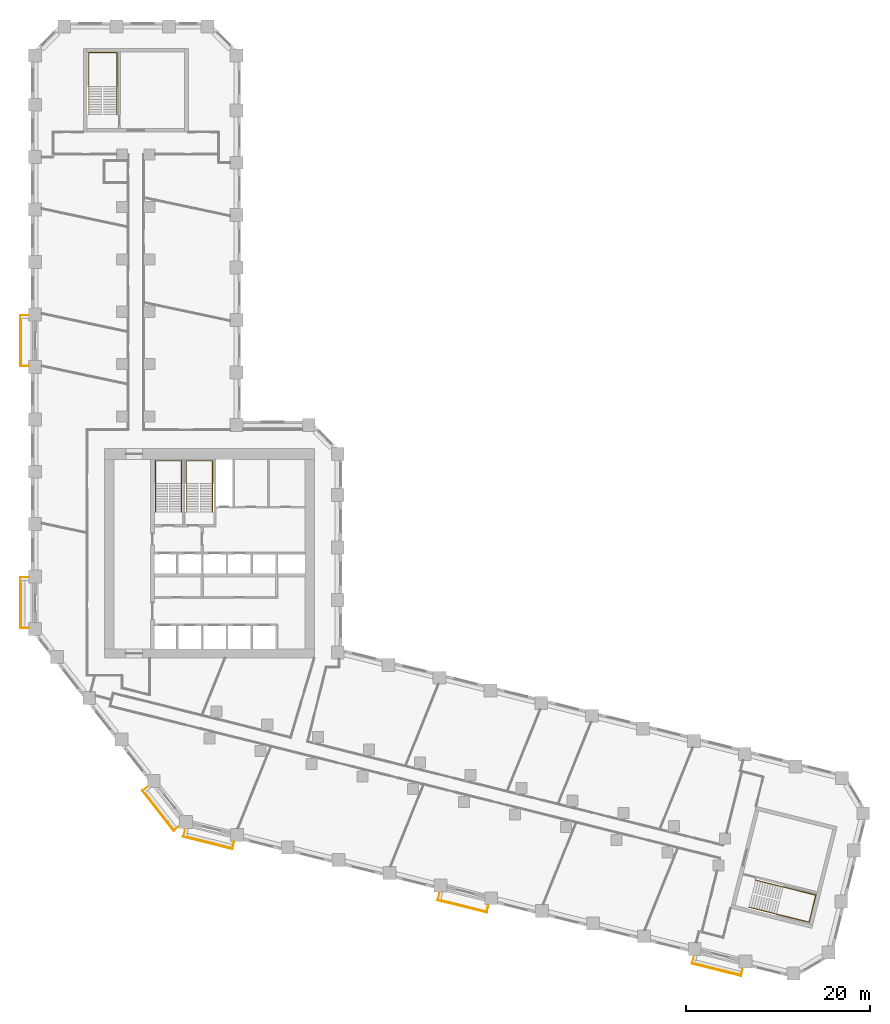
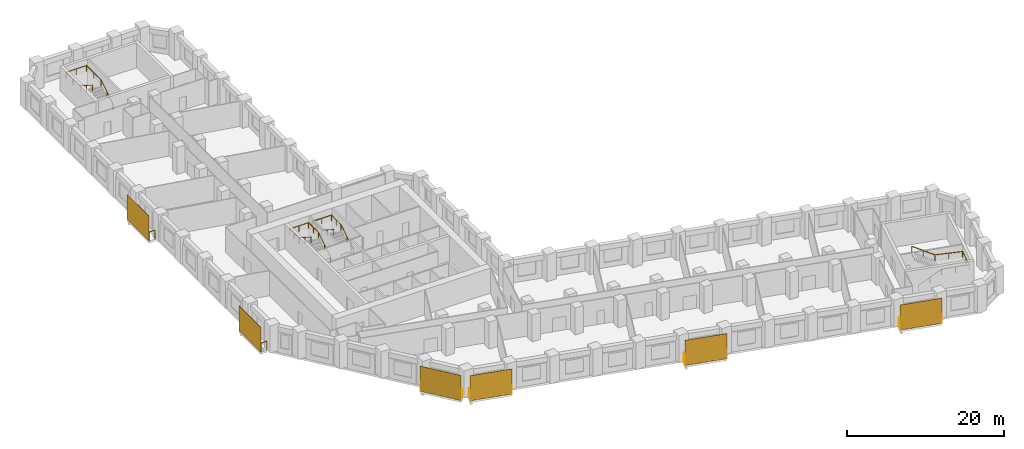
# One storey, part 11 of 11: 10 railings, 6 shading devices.
"""IFC4 building model written with IfcOpenShell, lengths in metres."""

import ifcopenshell
import ifcopenshell.guid

model = None  # the IFC model being written
_history = None  # IfcOwnerHistory: only IFC2X3 demands one
_inside = {}  # id of a spatial element -> (the spatial element, [elements in it])
_under = {}  # id of a project, library or spatial element -> (it, [spatial elements below it])
_declared = {}  # id of a project -> (the project, [libraries it declares])
_typed = {}  # id of a type object -> (the type object, [elements of that type])
_made_of = {}  # id of a material, layer set ... -> (it, [elements and type objects made of it])


def new_model(schema):
    """Start an empty IFC model of exactly this schema.

    Asked for "IFC4X3", IfcOpenShell would pick the latest addendum, in which some entities
    have other attributes; the version numbers below select the first issue.
    IFC2X3 requires an IfcOwnerHistory on every rooted entity: one is made here for all.
    """
    global model, _history
    if schema == "IFC4X3":
        model = ifcopenshell.file(schema_version=(4, 3, 0, 0))
    else:
        model = ifcopenshell.file(schema=schema)
    _inside.clear()
    _under.clear()
    _declared.clear()
    _typed.clear()
    _made_of.clear()
    _history = None
    if model.schema == "IFC2X3":
        org = make("IfcOrganization", Name="unknown")
        user = make(
            "IfcPersonAndOrganization",
            ThePerson=make("IfcPerson", FamilyName="unknown"),
            TheOrganization=org,
        )
        app = make(
            "IfcApplication",
            ApplicationDeveloper=org,
            Version="unknown",
            ApplicationFullName="unknown",
            ApplicationIdentifier="unknown",
        )
        _history = make(
            "IfcOwnerHistory",
            OwningUser=user,
            OwningApplication=app,
            ChangeAction="ADDED",
            CreationDate=0,
        )
    return model


def make(cls, **values):
    """One entity of the class cls with the attributes given. An attribute that is None is left unset."""
    return model.create_entity(
        cls, **{name: value for name, value in values.items() if value is not None}
    )


def rooted(cls, **values):
    """An entity with a GlobalId (a new one), such as an element, a storey or a relation."""
    return make(cls, GlobalId=ifcopenshell.guid.new(), OwnerHistory=_history, **values)


def si_unit(unit_type, name, prefix=None):
    """IfcSIUnit, for example si_unit("LENGTHUNIT", "METRE", prefix="MILLI")."""
    return make("IfcSIUnit", UnitType=unit_type, Prefix=prefix, Name=name)


def assignment(units):
    """IfcUnitAssignment: the units of a project."""
    return None if units is None else make("IfcUnitAssignment", Units=units)


def point(xyz):
    """IfcCartesianPoint."""
    return None if xyz is None else make("IfcCartesianPoint", Coordinates=xyz)


def direction(xyz):
    """IfcDirection."""
    return None if xyz is None else make("IfcDirection", DirectionRatios=xyz)


def frame(location, z_axis=None, x_axis=None):
    """IfcAxis2Placement3D, a coordinate frame: its origin and axes. An axis left out is left unset."""
    return make(
        "IfcAxis2Placement3D",
        Location=point(location),
        Axis=direction(z_axis),
        RefDirection=direction(x_axis),
    )


def frame_2d(location, x_axis=None):
    """IfcAxis2Placement2D, a coordinate frame in the plane: its origin and x axis."""
    return make(
        "IfcAxis2Placement2D", Location=point(location), RefDirection=direction(x_axis)
    )


def origin():
    """The frame at (0, 0, 0) with its axes left unset."""
    return frame((0.0, 0.0, 0.0))


def origin_2d():
    """The frame at (0, 0) in the plane with its x axis left unset."""
    return frame_2d((0.0, 0.0))


def place(relative_to, where):
    """IfcLocalPlacement: puts the frame where relative to a parent placement (None: the world)."""
    return make(
        "IfcLocalPlacement", PlacementRelTo=relative_to, RelativePlacement=where
    )


def context(
    kind, dimensions, precision=None, world=None, true_north=None, identifier=None
):
    """IfcGeometricRepresentationContext, for example the 3D "Model" context."""
    return make(
        "IfcGeometricRepresentationContext",
        ContextIdentifier=identifier,
        ContextType=kind,
        CoordinateSpaceDimension=dimensions,
        Precision=precision,
        WorldCoordinateSystem=world,
        TrueNorth=true_north,
    )


def subcontext(parent, identifier, kind, view, scale=None):
    """IfcGeometricRepresentationSubContext, for example "Body" below "Model"."""
    return make(
        "IfcGeometricRepresentationSubContext",
        ContextIdentifier=identifier,
        ContextType=kind,
        ParentContext=parent,
        TargetScale=scale,
        TargetView=view,
    )


def project(units=None, contexts=None):
    """IfcProject with its units and contexts."""
    return rooted(
        "IfcProject",
        Name="project",
        RepresentationContexts=contexts,
        UnitsInContext=assignment(units),
    )


def spatial(cls, under=None, at=None, **own):
    """A site, building, storey or space (cls), placed at a placement, below another one or the project."""
    s = rooted(cls, ObjectPlacement=at, **own)
    if under is not None:
        _under.setdefault(under.id(), (under, []))[1].append(s)
    return s


def profile(cls, at=None, kind="AREA", **sizes):
    """A parametric profile (cls). Its sizes go by their IFC names, for example OverallWidth=200.0."""
    return make(cls, ProfileType=kind, Position=at, **sizes)


def rectangle(**sizes):
    """IfcRectangleProfileDef."""
    return profile("IfcRectangleProfileDef", **sizes)


def circle(**sizes):
    """IfcCircleProfileDef."""
    return profile("IfcCircleProfileDef", **sizes)


def extrude(swept, where, along, depth):
    """IfcExtrudedAreaSolid: the profile swept, set in the frame where, extruded along a direction by depth."""
    return make(
        "IfcExtrudedAreaSolid",
        SweptArea=swept,
        Position=where,
        ExtrudedDirection=direction(along),
        Depth=depth,
    )


def shape(context_of_items, identifier, shape_type, items):
    """IfcShapeRepresentation: the items that make up one representation, for example the "Body"."""
    return make(
        "IfcShapeRepresentation",
        ContextOfItems=context_of_items,
        RepresentationIdentifier=identifier,
        RepresentationType=shape_type,
        Items=items,
    )


def material(Name=None, Category=None):
    """IfcMaterial."""
    return make("IfcMaterial", Name=Name, Category=Category)


def layer(
    of_material, thickness, ventilated=None, Name=None, Category=None, Priority=None
):
    """IfcMaterialLayer: one layer of a wall or slab, of a material (None: an air gap)."""
    return make(
        "IfcMaterialLayer",
        Material=of_material,
        LayerThickness=thickness,
        IsVentilated=ventilated,
        Name=Name,
        Category=Category,
        Priority=Priority,
    )


def layer_set(layers, Name=None):
    """IfcMaterialLayerSet."""
    return make("IfcMaterialLayerSet", MaterialLayers=layers, LayerSetName=Name)


def made_of(thing, what):
    """Note that an element or type object is made of a material, layer set ...; save() writes the relation."""
    if what is not None:
        _made_of.setdefault(what.id(), (what, []))[1].append(thing)
    return thing


def type_object(cls, material=None, **own):
    """A type object (cls), such as IfcWallType, which elements share."""
    return made_of(rooted(cls, **own), material)


def element(
    cls,
    number,
    at=None,
    inside=None,
    cuts=None,
    type_object=None,
    material=None,
    context=None,
    identifier="Body",
    shape_type=None,
    held_by="IfcProductDefinitionShape",
    body=None,
    shapes=None,
    **own,
):
    """One element of the class cls, such as IfcWall. Its Tag is "e" and its number.

    at: its placement. inside: the storey or other place that contains it. cuts: it is an
    opening in that element (IfcRelVoidsElement). A single representation is given by context,
    identifier, shape_type and body (its items); several are given by shapes. held_by: the class
    of the entity that holds the representations. save() writes the other relations.
    """
    e = rooted(cls, Tag="e%d" % number, ObjectPlacement=at, **own)
    if body is not None:
        shapes = [shape(context, identifier, shape_type, body)]
    if shapes is not None:
        e.Representation = make(held_by, Representations=shapes)
    if inside is not None:
        _inside.setdefault(inside.id(), (inside, []))[1].append(e)
    if cuts is not None:
        rooted(
            "IfcRelVoidsElement", RelatingBuildingElement=cuts, RelatedOpeningElement=e
        )
    if type_object is not None:
        _typed.setdefault(type_object.id(), (type_object, []))[1].append(e)
    return made_of(e, material)


def aggregate(whole, parts):
    """IfcRelAggregates: a whole, such as a stair, and the parts it consists of."""
    return rooted("IfcRelAggregates", RelatingObject=whole, RelatedObjects=parts)


def save(model, path):
    """Write the relations noted so far, then the file.

    IfcRelAggregates (storeys below a building ...), IfcRelContainedInSpatialStructure (elements
    in a storey), IfcRelDefinesByType, IfcRelAssociatesMaterial and IfcRelDeclares: one each for
    every whole, place, type object, material and project.
    """
    for whole, parts in _under.values():
        aggregate(whole, parts)
    for where, things in _inside.values():
        rooted(
            "IfcRelContainedInSpatialStructure",
            RelatedElements=things,
            RelatingStructure=where,
        )
    for kind, things in _typed.values():
        rooted("IfcRelDefinesByType", RelatedObjects=things, RelatingType=kind)
    for what, things in _made_of.values():
        rooted("IfcRelAssociatesMaterial", RelatedObjects=things, RelatingMaterial=what)
    for by, libraries in _declared.values():
        rooted("IfcRelDeclares", RelatingContext=by, RelatedDefinitions=libraries)
    model.write(path)


model = new_model("IFC4")

# Units and contexts
model_context = context("Model", 3, precision=1e-05, world=origin(), true_north=direction((0.0, 1.0)))
body_context = subcontext(model_context, "Body", "Model", "MODEL_VIEW")
ifc_project = project(units=[si_unit("LENGTHUNIT", "METRE"), si_unit("AREAUNIT", "SQUARE_METRE"), si_unit("VOLUMEUNIT", "CUBIC_METRE"), si_unit("PLANEANGLEUNIT", "RADIAN"), si_unit("MASSUNIT", "GRAM", prefix="KILO")], contexts=[model_context])

# Site, building, storey
site_placement = place(None, origin())
site = spatial("IfcSite", under=ifc_project, at=site_placement, CompositionType="ELEMENT")
building_placement = place(site_placement, origin())
building = spatial("IfcBuilding", under=site, at=building_placement, Name="Meshkara Civic Tower", CompositionType="ELEMENT")
storey_placement = place(building_placement, frame((0.0, 0.0, 41.39990234375)))
storey = spatial("IfcBuildingStorey", under=building, at=storey_placement, Name="L08", CompositionType="ELEMENT", Elevation=41.39990234375)

# Railings
ifc_material_1 = material(Name="Steel S355", Category="steel")
railing_type_1 = type_object("IfcRailingType", Name="BALUSTRADE GUARD 1400", PredefinedType="BALUSTRADE", material=ifc_material_1)
for number, where, name in (
    (1, (-0.25, 51.3349609375, 0.0), "Balcony guard"),
    (2, (-0.25, 22.8349609375, 0.0), "Balcony guard"),
):
    element("IfcRailing", number, at=place(storey_placement, frame(where)), inside=storey, type_object=railing_type_1, Name=name, PredefinedType="BALUSTRADE", context=body_context, shape_type="SweptSolid", body=[
        extrude(circle(Radius=0.02392578125, at=origin_2d()), frame((0.0, 0.0, 1.3759765625), z_axis=(-1.0, 0.0, 0.0), x_axis=(0.0, -1.0, 0.0)), (0.0, 0.0, 1.0), 0.860107421875),
        extrude(circle(Radius=0.02392578125, at=origin_2d()), frame((-0.860107421875, 0.0, 1.3759765625), z_axis=(0.0, -1.0, 0.0), x_axis=(1.0, 0.0, 0.0)), (0.0, 0.0, 1.0), 5.4599609375),
        extrude(circle(Radius=0.02392578125, at=origin_2d()), frame((-0.860107421875, -5.4599609375, 1.3759765625), z_axis=(1.0, 0.0, 0.0), x_axis=(0.0, 1.0, 0.0)), (0.0, 0.0, 1.0), 0.860107421875),
        extrude(circle(Radius=0.02099609375, at=origin_2d()), origin(), (0.0, 0.0, 1.0), 1.351806640625),
        extrude(circle(Radius=0.02099609375, at=origin_2d()), frame((-0.860107421875, 0.0, 0.0)), (0.0, 0.0, 1.0), 1.351806640625),
        extrude(circle(Radius=0.02099609375, at=origin_2d()), frame((-0.860107421875, -1.092041015625, 0.0)), (0.0, 0.0, 1.0), 1.351806640625),
        extrude(circle(Radius=0.02099609375, at=origin_2d()), frame((-0.860107421875, -2.18408203125, 0.0)), (0.0, 0.0, 1.0), 1.351806640625),
        extrude(circle(Radius=0.02099609375, at=origin_2d()), frame((-0.860107421875, -3.27587890625, 0.0)), (0.0, 0.0, 1.0), 1.351806640625),
        extrude(circle(Radius=0.02099609375, at=origin_2d()), frame((-0.860107421875, -4.367919921875, 0.0)), (0.0, 0.0, 1.0), 1.351806640625),
        extrude(circle(Radius=0.02099609375, at=origin_2d()), frame((-0.860107421875, -5.4599609375, 0.0)), (0.0, 0.0, 1.0), 1.351806640625),
        extrude(circle(Radius=0.02099609375, at=origin_2d()), frame((0.0, -5.4599609375, 0.0)), (0.0, 0.0, 1.0), 1.351806640625),
    ])
railing_1_placement = place(storey_placement, frame((12.64111328125, 0.053955078125, 0.0)))
element("IfcRailing", 3, at=railing_1_placement, inside=storey, type_object=railing_type_1, Name="Balcony guard", PredefinedType="BALUSTRADE", context=body_context, shape_type="SweptSolid", body=[
    extrude(circle(Radius=0.02392578125, at=origin_2d()), frame((0.0, 0.0, 1.3759765625), z_axis=(-0.788485894605, -0.615052838388, 0.0), x_axis=(0.615052838388, -0.788485894605, 0.0)), (0.0, 0.0, 1.0), 0.5771484375),
    extrude(circle(Radius=0.02392578125, at=origin_2d()), frame((-0.455078125, -0.35498046875, 1.3759765625), z_axis=(0.615684818606, -0.787992515281, 0.0), x_axis=(0.787992515281, 0.615684818606, 0.0)), (0.0, 0.0, 1.0), 5.460693359375),
    extrude(circle(Radius=0.02392578125, at=origin_2d()), frame((2.906982421875, -4.657958984375, 1.3759765625), z_axis=(0.787505001008, 0.616308261658, 0.0), x_axis=(-0.616308261658, 0.787505001008, 0.0)), (0.0, 0.0, 1.0), 0.57763671875),
    extrude(circle(Radius=0.02099609375, at=origin_2d()), origin(), (0.0, 0.0, 1.0), 1.351806640625),
    extrude(circle(Radius=0.02099609375, at=origin_2d()), frame((-0.455078125, -0.35498046875, 0.0)), (0.0, 0.0, 1.0), 1.351806640625),
    extrude(circle(Radius=0.02099609375, at=origin_2d()), frame((0.21728515625, -1.215576171875, 0.0)), (0.0, 0.0, 1.0), 1.351806640625),
    extrude(circle(Radius=0.02099609375, at=origin_2d()), frame((0.8896484375, -2.076171875, 0.0)), (0.0, 0.0, 1.0), 1.351806640625),
    extrude(circle(Radius=0.02099609375, at=origin_2d()), frame((1.562255859375, -2.936767578125, 0.0)), (0.0, 0.0, 1.0), 1.351806640625),
    extrude(circle(Radius=0.02099609375, at=origin_2d()), frame((2.234619140625, -3.79736328125, 0.0)), (0.0, 0.0, 1.0), 1.351806640625),
    extrude(circle(Radius=0.02099609375, at=origin_2d()), frame((2.906982421875, -4.657958984375, 0.0)), (0.0, 0.0, 1.0), 1.351806640625),
    extrude(circle(Radius=0.02099609375, at=origin_2d()), frame((3.36181640625, -4.302001953125, 0.0)), (0.0, 0.0, 1.0), 1.351806640625),
])
railing_2_placement = place(storey_placement, frame((16.761962890625, -4.590087890625, 0.0)))
element("IfcRailing", 4, at=railing_2_placement, inside=storey, type_object=railing_type_1, Name="Balcony guard", PredefinedType="BALUSTRADE", context=body_context, shape_type="SweptSolid", body=[
    extrude(circle(Radius=0.02392578125, at=origin_2d()), frame((0.0, 0.0, 1.3759765625), z_axis=(-0.241405887632, -0.970424235794, 0.0), x_axis=(0.970424235794, -0.241405887632, 0.0)), (0.0, 0.0, 1.0), 0.7119140625),
    extrude(circle(Radius=0.02392578125, at=origin_2d()), frame((-0.171875, -0.69091796875, 1.3759765625), z_axis=(0.9703315887, -0.241778013829, 0.0), x_axis=(0.241778013829, 0.9703315887, 0.0)), (0.0, 0.0, 1.0), 5.459716796875),
    extrude(circle(Radius=0.02392578125, at=origin_2d()), frame((5.1259765625, -2.010986328125, 1.3759765625), z_axis=(0.241970279911, 0.970283661431, 0.0), x_axis=(-0.970283661431, 0.241970279911, 0.0)), (0.0, 0.0, 1.0), 0.71142578125),
    extrude(circle(Radius=0.02099609375, at=origin_2d()), origin(), (0.0, 0.0, 1.0), 1.351806640625),
    extrude(circle(Radius=0.02099609375, at=origin_2d()), frame((-0.171875, -0.69091796875, 0.0)), (0.0, 0.0, 1.0), 1.351806640625),
    extrude(circle(Radius=0.02099609375, at=origin_2d()), frame((0.8876953125, -0.954833984375, 0.0)), (0.0, 0.0, 1.0), 1.351806640625),
    extrude(circle(Radius=0.02099609375, at=origin_2d()), frame((1.947265625, -1.218994140625, 0.0)), (0.0, 0.0, 1.0), 1.351806640625),
    extrude(circle(Radius=0.02099609375, at=origin_2d()), frame((3.0068359375, -1.48291015625, 0.0)), (0.0, 0.0, 1.0), 1.351806640625),
    extrude(circle(Radius=0.02099609375, at=origin_2d()), frame((4.06640625, -1.7470703125, 0.0)), (0.0, 0.0, 1.0), 1.351806640625),
    extrude(circle(Radius=0.02099609375, at=origin_2d()), frame((5.1259765625, -2.010986328125, 0.0)), (0.0, 0.0, 1.0), 1.351806640625),
    extrude(circle(Radius=0.02099609375, at=origin_2d()), frame((5.298095703125, -1.32080078125, 0.0)), (0.0, 0.0, 1.0), 1.351806640625),
])
railing_3_placement = place(storey_placement, frame((44.416015625, -11.485107421875, 0.0)))
element("IfcRailing", 5, at=railing_3_placement, inside=storey, type_object=railing_type_1, Name="Balcony guard", PredefinedType="BALUSTRADE", context=body_context, shape_type="SweptSolid", body=[
    extrude(circle(Radius=0.02392578125, at=origin_2d()), frame((0.0, 0.0, 1.3759765625), z_axis=(-0.242050887106, -0.970263555974, 0.0), x_axis=(0.970263555974, -0.242050887106, 0.0)), (0.0, 0.0, 1.0), 0.711181640625),
    extrude(circle(Radius=0.02392578125, at=origin_2d()), frame((-0.172119140625, -0.68994140625, 1.3759765625), z_axis=(0.970281759871, -0.241977904902, 0.0), x_axis=(0.241977904902, 0.970281759871, 0.0)), (0.0, 0.0, 1.0), 5.45947265625),
    extrude(circle(Radius=0.02392578125, at=origin_2d()), frame((5.125, -2.010986328125, 1.3759765625), z_axis=(0.241647114831, 0.970364195493, 0.0), x_axis=(-0.970364195493, 0.241647114831, 0.0)), (0.0, 0.0, 1.0), 0.711181640625),
    extrude(circle(Radius=0.02099609375, at=origin_2d()), origin(), (0.0, 0.0, 1.0), 1.351806640625),
    extrude(circle(Radius=0.02099609375, at=origin_2d()), frame((-0.172119140625, -0.68994140625, 0.0)), (0.0, 0.0, 1.0), 1.351806640625),
    extrude(circle(Radius=0.02099609375, at=origin_2d()), frame((0.88720703125, -0.9541015625, 0.0)), (0.0, 0.0, 1.0), 1.351806640625),
    extrude(circle(Radius=0.02099609375, at=origin_2d()), frame((1.94677734375, -1.21826171875, 0.0)), (0.0, 0.0, 1.0), 1.351806640625),
    extrude(circle(Radius=0.02099609375, at=origin_2d()), frame((3.006103515625, -1.482666015625, 0.0)), (0.0, 0.0, 1.0), 1.351806640625),
    extrude(circle(Radius=0.02099609375, at=origin_2d()), frame((4.065673828125, -1.746826171875, 0.0)), (0.0, 0.0, 1.0), 1.351806640625),
    extrude(circle(Radius=0.02099609375, at=origin_2d()), frame((5.125, -2.010986328125, 0.0)), (0.0, 0.0, 1.0), 1.351806640625),
    extrude(circle(Radius=0.02099609375, at=origin_2d()), frame((5.296875, -1.32080078125, 0.0)), (0.0, 0.0, 1.0), 1.351806640625),
])
railing_4_placement = place(storey_placement, frame((72.069091796875, -18.37890625, 0.0)))
element("IfcRailing", 6, at=railing_4_placement, inside=storey, type_object=railing_type_1, Name="Balcony guard", PredefinedType="BALUSTRADE", context=body_context, shape_type="SweptSolid", body=[
    extrude(circle(Radius=0.02392578125, at=origin_2d()), frame((0.0, 0.0, 1.3759765625), z_axis=(-0.241648370662, -0.970363882756, 0.0), x_axis=(0.970363882756, -0.241648370662, 0.0)), (0.0, 0.0, 1.0), 0.712158203125),
    extrude(circle(Radius=0.02392578125, at=origin_2d()), frame((-0.172119140625, -0.691162109375, 1.3759765625), z_axis=(0.970292231073, -0.24193591366, 0.0), x_axis=(0.24193591366, 0.970292231073, 0.0)), (0.0, 0.0, 1.0), 5.460205078125),
    extrude(circle(Radius=0.02392578125, at=origin_2d()), frame((5.1259765625, -2.01220703125, 1.3759765625), z_axis=(0.241325582248, 0.970444209294, 0.0), x_axis=(-0.970444209294, 0.241325582248, 0.0)), (0.0, 0.0, 1.0), 0.712158203125),
    extrude(circle(Radius=0.02099609375, at=origin_2d()), origin(), (0.0, 0.0, 1.0), 1.351806640625),
    extrude(circle(Radius=0.02099609375, at=origin_2d()), frame((-0.172119140625, -0.691162109375, 0.0)), (0.0, 0.0, 1.0), 1.351806640625),
    extrude(circle(Radius=0.02099609375, at=origin_2d()), frame((0.887451171875, -0.955322265625, 0.0)), (0.0, 0.0, 1.0), 1.351806640625),
    extrude(circle(Radius=0.02099609375, at=origin_2d()), frame((1.947021484375, -1.219482421875, 0.0)), (0.0, 0.0, 1.0), 1.351806640625),
    extrude(circle(Radius=0.02099609375, at=origin_2d()), frame((3.0068359375, -1.48388671875, 0.0)), (0.0, 0.0, 1.0), 1.351806640625),
    extrude(circle(Radius=0.02099609375, at=origin_2d()), frame((4.06640625, -1.748046875, 0.0)), (0.0, 0.0, 1.0), 1.351806640625),
    extrude(circle(Radius=0.02099609375, at=origin_2d()), frame((5.1259765625, -2.01220703125, 0.0)), (0.0, 0.0, 1.0), 1.351806640625),
    extrude(circle(Radius=0.02099609375, at=origin_2d()), frame((5.2978515625, -1.321044921875, 0.0)), (0.0, 0.0, 1.0), 1.351806640625),
])

# Shading devices
ifc_material_2 = material(Name="Perforated bronze anodised aluminium sheet", Category="aluminium")
ifc_layer = layer(ifc_material_2, 0.0400390625)
ifc_layer_set = layer_set([ifc_layer], Name="PERFORATED BRONZE SCREEN")
shading_device_type = type_object("IfcShadingDeviceType", Name="PERFORATED BRONZE SCREEN", PredefinedType="USERDEFINED", material=ifc_layer_set)
for number, where, z_axis, x_axis, name in (
    (7, (-1.179931640625, 48.60498046875, 0.000244140625), (0.0, 0.0, 1.0), (0.0, -1.0, 0.0), "Balcony screen"),
    (8, (-1.179931640625, 20.10498046875, 0.000244140625), (0.0, 0.0, 1.0), (0.0, -1.0, 0.0), "Balcony screen"),
    (9, (13.81201171875, -2.4951171875, 0.000244140625), (0.0, 0.0, 1.0), (0.615661475326, -0.788010753607, 0.0), "Balcony screen"),
    (10, (19.221923828125, -6.009033203125, 0.000244140625), (0.0, 0.0, 1.0), (0.970295726276, -0.2419218956, 0.0), "Balcony screen"),
):
    element("IfcShadingDevice", number, at=place(storey_placement, frame(where, z_axis=z_axis, x_axis=x_axis)), inside=storey, type_object=shading_device_type, Name=name, ObjectType="SCREEN", PredefinedType="USERDEFINED", context=body_context, shape_type="SweptSolid", body=[
        extrude(rectangle(XDim=5.580078125, YDim=0.0400390625, at=origin_2d()), origin(), (0.0, 0.0, 1.0), 3.89990234375),
    ])
shading_device_1_placement = place(storey_placement, frame((46.8759765625, -12.903076171875, 0.000244140625), z_axis=(0.0, 0.0, 1.0), x_axis=(0.970295726276, -0.2419218956, 0.0)))
element("IfcShadingDevice", 11, at=shading_device_1_placement, inside=storey, type_object=shading_device_type, Name="Balcony screen", ObjectType="SCREEN", PredefinedType="USERDEFINED", context=body_context, shape_type="SweptSolid", body=[
    extrude(rectangle(XDim=5.5791015625, YDim=0.0400390625, at=origin_2d()), origin(), (0.0, 0.0, 1.0), 3.89990234375),
])
shading_device_2_placement = place(storey_placement, frame((74.529052734375, -19.798095703125, 0.000244140625), z_axis=(0.0, 0.0, 1.0), x_axis=(0.970295726276, -0.2419218956, 0.0)))
element("IfcShadingDevice", 12, at=shading_device_2_placement, inside=storey, type_object=shading_device_type, Name="Balcony screen", ObjectType="SCREEN", PredefinedType="USERDEFINED", context=body_context, shape_type="SweptSolid", body=[
    extrude(rectangle(XDim=5.580078125, YDim=0.0400390625, at=origin_2d()), origin(), (0.0, 0.0, 1.0), 3.89990234375),
])

# Railings
ifc_material_3 = material(Name="Steel handrail", Category="steel")
railing_type_2 = type_object("IfcRailingType", Name="Stair handrail 900", PredefinedType="HANDRAIL", material=ifc_material_3)
railing_5_placement = place(storey_placement, frame((16.375, 30.0, 0.175048828125)))
element("IfcRailing", 13, at=railing_5_placement, inside=storey, type_object=railing_type_2, Name="L08 ST1 stair handrail 1", PredefinedType="HANDRAIL", context=body_context, shape_type="SweptSolid", body=[
    extrude(circle(Radius=0.02392578125, at=origin_2d()), frame((0.0, 0.0, 0.8759765625), z_axis=(0.0, 0.847998304005, 0.529998940003), x_axis=(-1.0, 0.0, 0.0)), (0.0, 0.0, 1.0), 3.632080078125),
    extrude(circle(Radius=0.02392578125, at=origin_2d()), frame((0.0, 3.080078125, 2.80078125), z_axis=(0.0, 1.0, 0.0), x_axis=(-1.0, 0.0, 0.0)), (0.0, 0.0, 1.0), 2.469970703125),
    extrude(circle(Radius=0.02392578125, at=origin_2d()), frame((0.0, 5.550048828125, 2.80078125), z_axis=(-1.0, 0.0, 0.0), x_axis=(0.0, -1.0, 0.0)), (0.0, 0.0, 1.0), 2.85009765625),
    extrude(circle(Radius=0.02392578125, at=origin_2d()), frame((-2.85009765625, 5.550048828125, 2.80078125), z_axis=(0.0, -0.997498084828, 0.070693498747), x_axis=(1.0, 0.0, 0.0)), (0.0, 0.0, 1.0), 2.47607421875),
    extrude(circle(Radius=0.02392578125, at=origin_2d()), frame((-2.85009765625, 3.080078125, 2.97607421875), z_axis=(0.0, -0.847998304005, 0.529998940003), x_axis=(1.0, 0.0, 0.0)), (0.0, 0.0, 1.0), 3.632080078125),
    extrude(circle(Radius=0.02099609375, at=origin_2d()), origin(), (0.0, 0.0, 1.0), 0.851806640625),
    extrude(circle(Radius=0.02099609375, at=origin_2d()), frame((0.0, 1.5400390625, 0.96240234375)), (0.0, 0.0, 1.0), 0.851806640625),
    extrude(circle(Radius=0.02099609375, at=origin_2d()), frame((0.0, 3.080078125, 1.925048828125)), (0.0, 0.0, 1.0), 0.851806640625),
    extrude(circle(Radius=0.02099609375, at=origin_2d()), frame((0.0, 4.31494140625, 1.925048828125)), (0.0, 0.0, 1.0), 0.851806640625),
    extrude(circle(Radius=0.02099609375, at=origin_2d()), frame((0.0, 5.550048828125, 1.925048828125)), (0.0, 0.0, 1.0), 0.851806640625),
    extrude(circle(Radius=0.02099609375, at=origin_2d()), frame((-1.425048828125, 5.550048828125, 1.925048828125)), (0.0, 0.0, 1.0), 0.851806640625),
    extrude(circle(Radius=0.02099609375, at=origin_2d()), frame((-2.85009765625, 5.550048828125, 1.925048828125)), (0.0, 0.0, 1.0), 0.851806640625),
    extrude(circle(Radius=0.02099609375, at=origin_2d()), frame((-2.85009765625, 4.31494140625, 2.0126953125)), (0.0, 0.0, 1.0), 0.851806640625),
    extrude(circle(Radius=0.02099609375, at=origin_2d()), frame((-2.85009765625, 3.080078125, 2.10009765625)), (0.0, 0.0, 1.0), 0.851806640625),
    extrude(circle(Radius=0.02099609375, at=origin_2d()), frame((-2.85009765625, 1.5400390625, 3.0625)), (0.0, 0.0, 1.0), 0.851806640625),
    extrude(circle(Radius=0.02099609375, at=origin_2d()), frame((-2.85009765625, 0.0, 4.025146484375)), (0.0, 0.0, 1.0), 0.851806640625),
])
railing_6_placement = place(storey_placement, frame((19.72509765625, 30.0, 0.175048828125)))
element("IfcRailing", 14, at=railing_6_placement, inside=storey, type_object=railing_type_2, Name="L08 ST2 stair handrail 1", PredefinedType="HANDRAIL", context=body_context, shape_type="SweptSolid", body=[
    extrude(circle(Radius=0.02392578125, at=origin_2d()), frame((0.0, 0.0, 0.8759765625), z_axis=(0.0, 0.847998304005, 0.529998940003), x_axis=(-1.0, 0.0, 0.0)), (0.0, 0.0, 1.0), 3.632080078125),
    extrude(circle(Radius=0.02392578125, at=origin_2d()), frame((0.0, 3.080078125, 2.80078125), z_axis=(0.0, 1.0, 0.0), x_axis=(-1.0, 0.0, 0.0)), (0.0, 0.0, 1.0), 2.469970703125),
    extrude(circle(Radius=0.02392578125, at=origin_2d()), frame((0.0, 5.550048828125, 2.80078125), z_axis=(-1.0, 0.0, 0.0), x_axis=(0.0, -1.0, 0.0)), (0.0, 0.0, 1.0), 2.85009765625),
    extrude(circle(Radius=0.02392578125, at=origin_2d()), frame((-2.85009765625, 5.550048828125, 2.80078125), z_axis=(0.0, -0.997498084828, 0.070693498747), x_axis=(1.0, 0.0, 0.0)), (0.0, 0.0, 1.0), 2.47607421875),
    extrude(circle(Radius=0.02392578125, at=origin_2d()), frame((-2.85009765625, 3.080078125, 2.97607421875), z_axis=(0.0, -0.847998304005, 0.529998940003), x_axis=(1.0, 0.0, 0.0)), (0.0, 0.0, 1.0), 3.632080078125),
    extrude(circle(Radius=0.02099609375, at=origin_2d()), origin(), (0.0, 0.0, 1.0), 0.851806640625),
    extrude(circle(Radius=0.02099609375, at=origin_2d()), frame((0.0, 1.5400390625, 0.96240234375)), (0.0, 0.0, 1.0), 0.851806640625),
    extrude(circle(Radius=0.02099609375, at=origin_2d()), frame((0.0, 3.080078125, 1.925048828125)), (0.0, 0.0, 1.0), 0.851806640625),
    extrude(circle(Radius=0.02099609375, at=origin_2d()), frame((0.0, 4.31494140625, 1.925048828125)), (0.0, 0.0, 1.0), 0.851806640625),
    extrude(circle(Radius=0.02099609375, at=origin_2d()), frame((0.0, 5.550048828125, 1.925048828125)), (0.0, 0.0, 1.0), 0.851806640625),
    extrude(circle(Radius=0.02099609375, at=origin_2d()), frame((-1.425048828125, 5.550048828125, 1.925048828125)), (0.0, 0.0, 1.0), 0.851806640625),
    extrude(circle(Radius=0.02099609375, at=origin_2d()), frame((-2.85009765625, 5.550048828125, 1.925048828125)), (0.0, 0.0, 1.0), 0.851806640625),
    extrude(circle(Radius=0.02099609375, at=origin_2d()), frame((-2.85009765625, 4.31494140625, 2.0126953125)), (0.0, 0.0, 1.0), 0.851806640625),
    extrude(circle(Radius=0.02099609375, at=origin_2d()), frame((-2.85009765625, 3.080078125, 2.10009765625)), (0.0, 0.0, 1.0), 0.851806640625),
    extrude(circle(Radius=0.02099609375, at=origin_2d()), frame((-2.85009765625, 1.5400390625, 3.0625)), (0.0, 0.0, 1.0), 0.851806640625),
    extrude(circle(Radius=0.02099609375, at=origin_2d()), frame((-2.85009765625, 0.0, 4.025146484375)), (0.0, 0.0, 1.0), 0.851806640625),
])
railing_7_placement = place(storey_placement, frame((9.324951171875, 73.169921875, 0.175048828125)))
element("IfcRailing", 15, at=railing_7_placement, inside=storey, type_object=railing_type_2, Name="L08 ESA1 stair handrail 1", PredefinedType="HANDRAIL", context=body_context, shape_type="SweptSolid", body=[
    extrude(circle(Radius=0.02392578125, at=origin_2d()), frame((0.0, 0.0, 0.8759765625), z_axis=(0.0, 0.847998304005, 0.529998940003), x_axis=(-1.0, 0.0, 0.0)), (0.0, 0.0, 1.0), 3.632080078125),
    extrude(circle(Radius=0.02392578125, at=origin_2d()), frame((0.0, 3.080078125, 2.80078125), z_axis=(0.0, 1.0, 0.0), x_axis=(-1.0, 0.0, 0.0)), (0.0, 0.0, 1.0), 3.669921875),
    extrude(circle(Radius=0.02392578125, at=origin_2d()), frame((0.0, 6.75, 2.80078125), z_axis=(-1.0, 0.0, 0.0), x_axis=(0.0, -1.0, 0.0)), (0.0, 0.0, 1.0), 3.050048828125),
    extrude(circle(Radius=0.02392578125, at=origin_2d()), frame((-3.050048828125, 6.75, 2.80078125), z_axis=(0.0, -0.998864376167, 0.047644076484), x_axis=(1.0, 0.0, 0.0)), (0.0, 0.0, 1.0), 3.674072265625),
    extrude(circle(Radius=0.02392578125, at=origin_2d()), frame((-3.050048828125, 3.080078125, 2.97607421875), z_axis=(0.0, -0.847998304005, 0.529998940003), x_axis=(1.0, 0.0, 0.0)), (0.0, 0.0, 1.0), 3.632080078125),
    extrude(circle(Radius=0.02099609375, at=origin_2d()), origin(), (0.0, 0.0, 1.0), 0.851806640625),
    extrude(circle(Radius=0.02099609375, at=origin_2d()), frame((0.0, 1.5400390625, 0.96240234375)), (0.0, 0.0, 1.0), 0.851806640625),
    extrude(circle(Radius=0.02099609375, at=origin_2d()), frame((0.0, 3.080078125, 1.925048828125)), (0.0, 0.0, 1.0), 0.851806640625),
    extrude(circle(Radius=0.02099609375, at=origin_2d()), frame((0.0, 4.9150390625, 1.925048828125)), (0.0, 0.0, 1.0), 0.851806640625),
    extrude(circle(Radius=0.02099609375, at=origin_2d()), frame((0.0, 6.75, 1.925048828125)), (0.0, 0.0, 1.0), 0.851806640625),
    extrude(circle(Radius=0.02099609375, at=origin_2d()), frame((-1.52490234375, 6.75, 1.925048828125)), (0.0, 0.0, 1.0), 0.851806640625),
    extrude(circle(Radius=0.02099609375, at=origin_2d()), frame((-3.050048828125, 6.75, 1.925048828125)), (0.0, 0.0, 1.0), 0.851806640625),
    extrude(circle(Radius=0.02099609375, at=origin_2d()), frame((-3.050048828125, 4.9150390625, 2.0126953125)), (0.0, 0.0, 1.0), 0.851806640625),
    extrude(circle(Radius=0.02099609375, at=origin_2d()), frame((-3.050048828125, 3.080078125, 2.10009765625)), (0.0, 0.0, 1.0), 0.851806640625),
    extrude(circle(Radius=0.02099609375, at=origin_2d()), frame((-3.050048828125, 1.5400390625, 3.0625)), (0.0, 0.0, 1.0), 0.851806640625),
    extrude(circle(Radius=0.02099609375, at=origin_2d()), frame((-3.050048828125, 0.0, 4.025146484375)), (0.0, 0.0, 1.0), 0.851806640625),
])
railing_8_placement = place(storey_placement, frame((78.045166015625, -12.99169921875, 0.175048828125)))
element("IfcRailing", 16, at=railing_8_placement, inside=storey, type_object=railing_type_2, Name="L08 ESB1 stair handrail 1", PredefinedType="HANDRAIL", context=body_context, shape_type="SweptSolid", body=[
    extrude(circle(Radius=0.02392578125, at=origin_2d()), frame((0.0, 0.0, 0.8759765625), z_axis=(0.822781968105, -0.205275396666, 0.529992306062), x_axis=(0.242069343812, 0.970258951408, 0.0)), (0.0, 0.0, 1.0), 3.63232421875),
    extrude(circle(Radius=0.02392578125, at=origin_2d()), frame((2.988525390625, -0.74560546875, 2.80078125), z_axis=(0.970255876456, -0.242081668456, 0.0), x_axis=(0.242081668456, 0.970255876456, 0.0)), (0.0, 0.0, 1.0), 3.669921875),
    extrude(circle(Radius=0.02392578125, at=origin_2d()), frame((6.54931640625, -1.634033203125, 2.80078125), z_axis=(0.242064726708, 0.970260103315, 0.0), x_axis=(-0.970260103315, 0.242064726708, 0.0)), (0.0, 0.0, 1.0), 3.050048828125),
    extrude(circle(Radius=0.02392578125, at=origin_2d()), frame((7.28759765625, 1.3251953125, 2.80078125), z_axis=(-0.969154047904, 0.241806759021, 0.047643706023), x_axis=(-0.242081668456, -0.970255876456, 0.0)), (0.0, 0.0, 1.0), 3.674072265625),
    extrude(circle(Radius=0.02392578125, at=origin_2d()), frame((3.726806640625, 2.213623046875, 2.97607421875), z_axis=(-0.822781968105, 0.205275396666, 0.529992306062), x_axis=(-0.242069343812, -0.970258951408, 0.0)), (0.0, 0.0, 1.0), 3.63232421875),
    extrude(circle(Radius=0.02099609375, at=origin_2d()), origin(), (0.0, 0.0, 1.0), 0.851806640625),
    extrude(circle(Radius=0.02099609375, at=origin_2d()), frame((1.494140625, -0.372802734375, 0.96240234375)), (0.0, 0.0, 1.0), 0.851806640625),
    extrude(circle(Radius=0.02099609375, at=origin_2d()), frame((2.988525390625, -0.74560546875, 1.925048828125)), (0.0, 0.0, 1.0), 0.851806640625),
    extrude(circle(Radius=0.02099609375, at=origin_2d()), frame((4.76904296875, -1.18994140625, 1.925048828125)), (0.0, 0.0, 1.0), 0.851806640625),
    extrude(circle(Radius=0.02099609375, at=origin_2d()), frame((6.54931640625, -1.634033203125, 1.925048828125)), (0.0, 0.0, 1.0), 0.851806640625),
    extrude(circle(Radius=0.02099609375, at=origin_2d()), frame((6.91845703125, -0.154296875, 1.925048828125)), (0.0, 0.0, 1.0), 0.851806640625),
    extrude(circle(Radius=0.02099609375, at=origin_2d()), frame((7.28759765625, 1.3251953125, 1.925048828125)), (0.0, 0.0, 1.0), 0.851806640625),
    extrude(circle(Radius=0.02099609375, at=origin_2d()), frame((5.50732421875, 1.76953125, 2.0126953125)), (0.0, 0.0, 1.0), 0.851806640625),
    extrude(circle(Radius=0.02099609375, at=origin_2d()), frame((3.726806640625, 2.213623046875, 2.10009765625)), (0.0, 0.0, 1.0), 0.851806640625),
    extrude(circle(Radius=0.02099609375, at=origin_2d()), frame((2.232421875, 2.58642578125, 3.0625)), (0.0, 0.0, 1.0), 0.851806640625),
    extrude(circle(Radius=0.02099609375, at=origin_2d()), frame((0.73828125, 2.959228515625, 4.025146484375)), (0.0, 0.0, 1.0), 0.851806640625),
])

save(model, "model.ifc")
